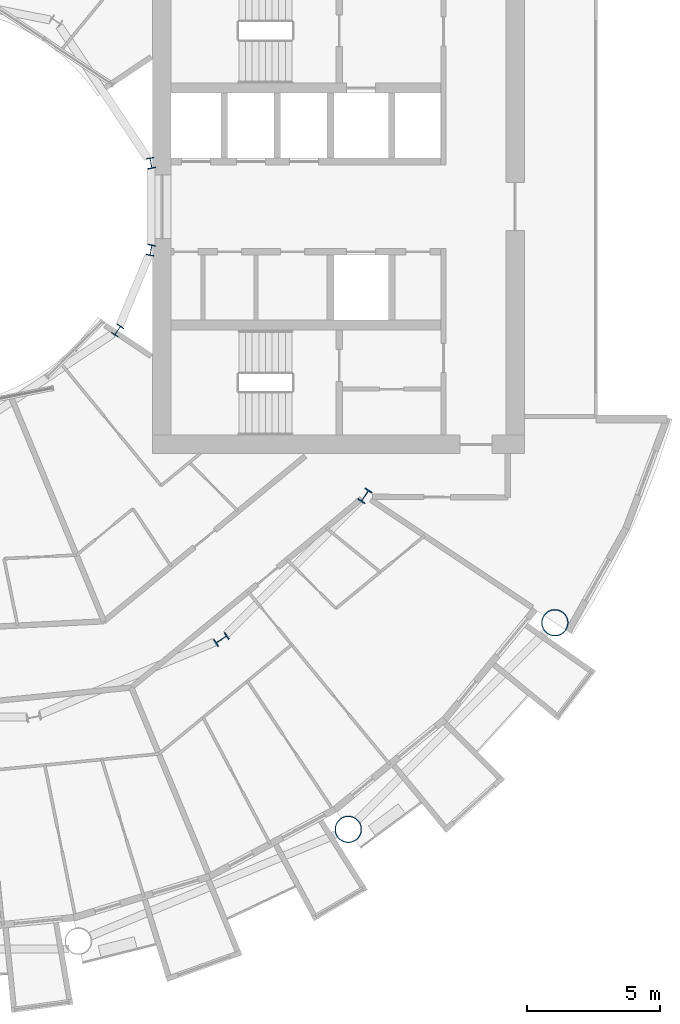
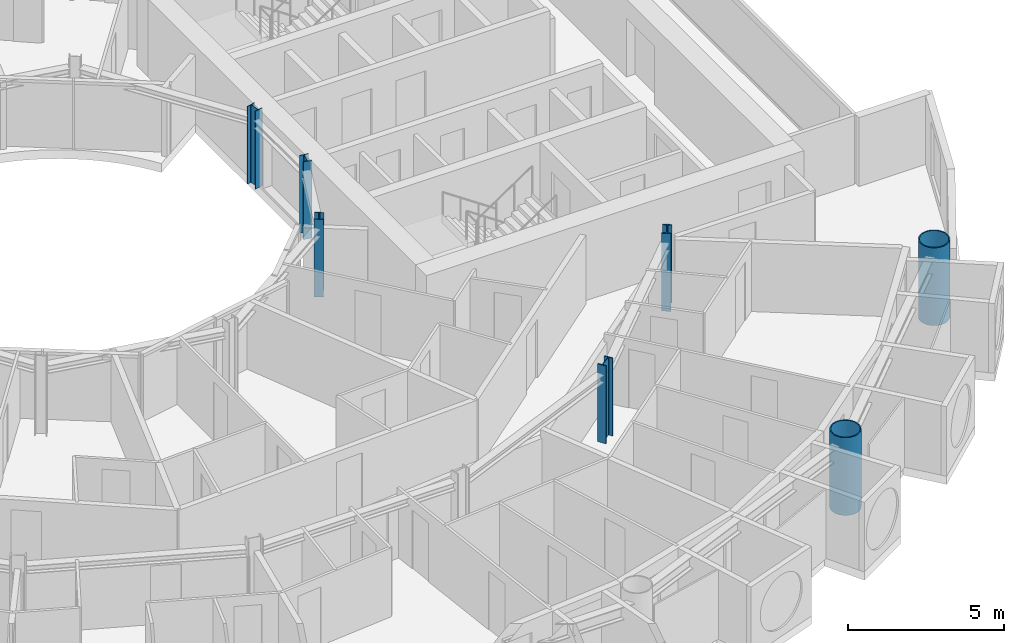
# One storey, part 2 of 26: 7 columns.
"""IFC4 building model written with IfcOpenShell, lengths in metres."""

from ifc_helpers import new_model, si_unit, direction, frame, origin, origin_2d, place, context, subcontext, project, spatial, hollow_circle, i_section, extrude, material, material_profile, profile_set, type_object, element, save


model = new_model("IFC4")

# Units and contexts
model_context = context("Model", 3, precision=1e-05, world=origin(), true_north=direction((0.0, 1.0)))
body_context = subcontext(model_context, "Body", "Model", "MODEL_VIEW")
ifc_project = project(units=[si_unit("LENGTHUNIT", "METRE"), si_unit("AREAUNIT", "SQUARE_METRE"), si_unit("VOLUMEUNIT", "CUBIC_METRE"), si_unit("PLANEANGLEUNIT", "RADIAN"), si_unit("MASSUNIT", "GRAM", prefix="KILO")], contexts=[model_context])

# Site, building, storey
site_placement = place(None, origin())
site = spatial("IfcSite", under=ifc_project, at=site_placement, CompositionType="ELEMENT")
building_placement = place(site_placement, origin())
building = spatial("IfcBuilding", under=site, at=building_placement, Name="Maasbend Ring Residences", CompositionType="ELEMENT")
storey_placement = place(building_placement, frame((0.0, 0.0, 66.64990234375)))
storey = spatial("IfcBuildingStorey", under=building, at=storey_placement, Name="L18", CompositionType="ELEMENT", Elevation=66.64990234375)

# Columns
ifc_material_1 = material(Name="Composite concrete-filled steel tube S460NH / C80/95", Category="concrete")
ifc_material_profile_1 = material_profile(ifc_material_1, hollow_circle(Radius=0.508056640625, WallThickness=0.0400390625, at=origin_2d()), Name="Composite tube column CHS 1016x40")
ifc_profile_set_1 = profile_set([ifc_material_profile_1], Name="Composite concrete-filled steel tube S460NH / C80/95")
column_type_1 = type_object("IfcColumnType", Name="Composite tube column CHS 1016x40", PredefinedType="COLUMN", material=ifc_profile_set_1)
for number, where, z_axis, x_axis, name in (
    (1, (15.6669921875, -23.447509765625, 0.0), (0.0, 0.0, 1.0), (1.0, 0.0, 0.0), "Outer column R14"),
    (2, (23.447509765625, -15.6669921875, 0.0), (0.0, 0.0, 1.0), (1.0, 0.0, 0.0), "Outer column R15"),
):
    element("IfcColumn", number, at=place(storey_placement, frame(where, z_axis=z_axis, x_axis=x_axis)), inside=storey, type_object=column_type_1, Name=name, PredefinedType="COLUMN", context=body_context, shape_type="SweptSolid", body=[
        extrude(hollow_circle(Radius=0.508056640625, WallThickness=0.0400390625, at=origin_2d()), origin(), (0.0, 0.0, 1.0), 3.050048828125),
    ])
ifc_material_2 = material(Name="Steel S355J2", Category="steel")
ifc_material_profile_2 = material_profile(ifc_material_2, i_section(OverallWidth=0.300048828125, OverallDepth=0.39990234375, WebThickness=0.013427734375, FlangeThickness=0.02392578125, FilletRadius=0.027099609375, at=origin_2d()), Name="HEB 400")
ifc_profile_set_2 = profile_set([ifc_material_profile_2], Name="Steel S355J2")
column_type_2 = type_object("IfcColumnType", Name="Steel column HEB 400", PredefinedType="COLUMN", material=ifc_profile_set_2)
for number, where, z_axis, x_axis, name in (
    (3, (8.238525390625, 1.638916015625, 0.0), (0.0, 0.0, 1.0), (0.980785280403, 0.195090322016, 0.0), "Well ring column R1"),
    (4, (6.984375, -4.666748046875, 0.0), (0.0, 0.0, 1.0), (0.831469612303, -0.55557023302, 0.0), "Well ring column R15"),
    (5, (8.238525390625, -1.638916015625, 0.0), (0.0, 0.0, 1.0), (0.980785280403, -0.195090322016, 0.0), "Well ring column R16"),
):
    element("IfcColumn", number, at=place(storey_placement, frame(where, z_axis=z_axis, x_axis=x_axis)), inside=storey, type_object=column_type_2, Name=name, PredefinedType="COLUMN", context=body_context, shape_type="SweptSolid", body=[
        extrude(i_section(OverallWidth=0.300048828125, OverallDepth=0.39990234375, WebThickness=0.013427734375, FlangeThickness=0.02392578125, FilletRadius=0.027099609375, at=origin_2d()), origin(), (0.0, 0.0, 1.0), 3.050048828125),
    ])
ifc_material_3 = material(Name="Steel S460M", Category="steel")
ifc_material_profile_3 = material_profile(ifc_material_3, i_section(OverallWidth=0.305908203125, OverallDepth=0.52392578125, WebThickness=0.02099609375, FlangeThickness=0.0400390625, FilletRadius=0.027099609375, at=origin_2d()), Name="HEM 500")
ifc_profile_set_3 = profile_set([ifc_material_profile_3], Name="Steel S460M")
column_type_3 = type_object("IfcColumnType", Name="Steel column HEM 500", PredefinedType="COLUMN", material=ifc_profile_set_3)
for number, where, z_axis, x_axis, name in (
    (6, (10.88916015625, -16.296875, 0.0), (0.0, 0.0, 1.0), (0.55557023302, -0.831469612303, 0.0), "Corridor ring column R14"),
    (7, (16.296875, -10.88916015625, 0.0), (0.0, 0.0, 1.0), (0.831469612303, -0.55557023302, 0.0), "Corridor ring column R15"),
):
    element("IfcColumn", number, at=place(storey_placement, frame(where, z_axis=z_axis, x_axis=x_axis)), inside=storey, type_object=column_type_3, Name=name, PredefinedType="COLUMN", context=body_context, shape_type="SweptSolid", body=[
        extrude(i_section(OverallWidth=0.305908203125, OverallDepth=0.52392578125, WebThickness=0.02099609375, FlangeThickness=0.0400390625, FilletRadius=0.027099609375, at=origin_2d()), origin(), (0.0, 0.0, 1.0), 3.050048828125),
    ])

save(model, "model.ifc")
